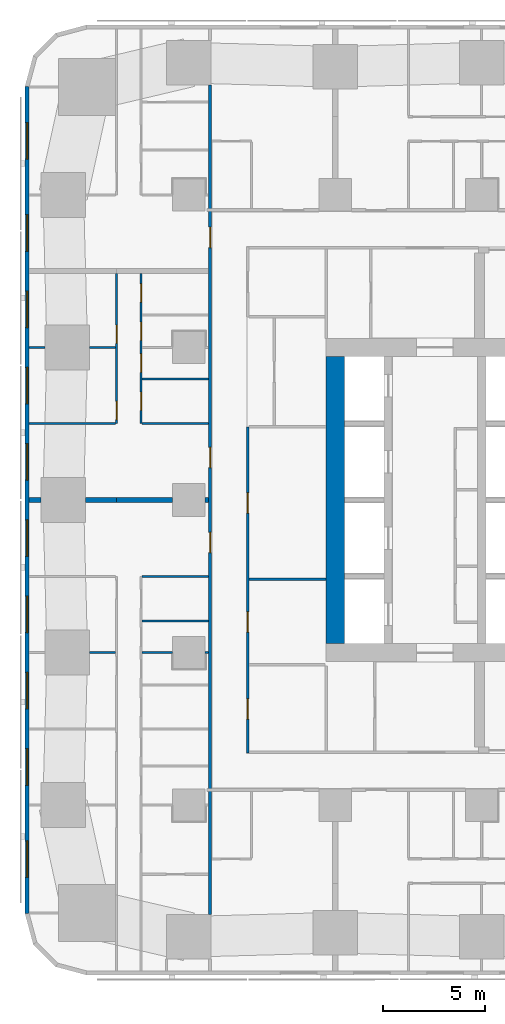
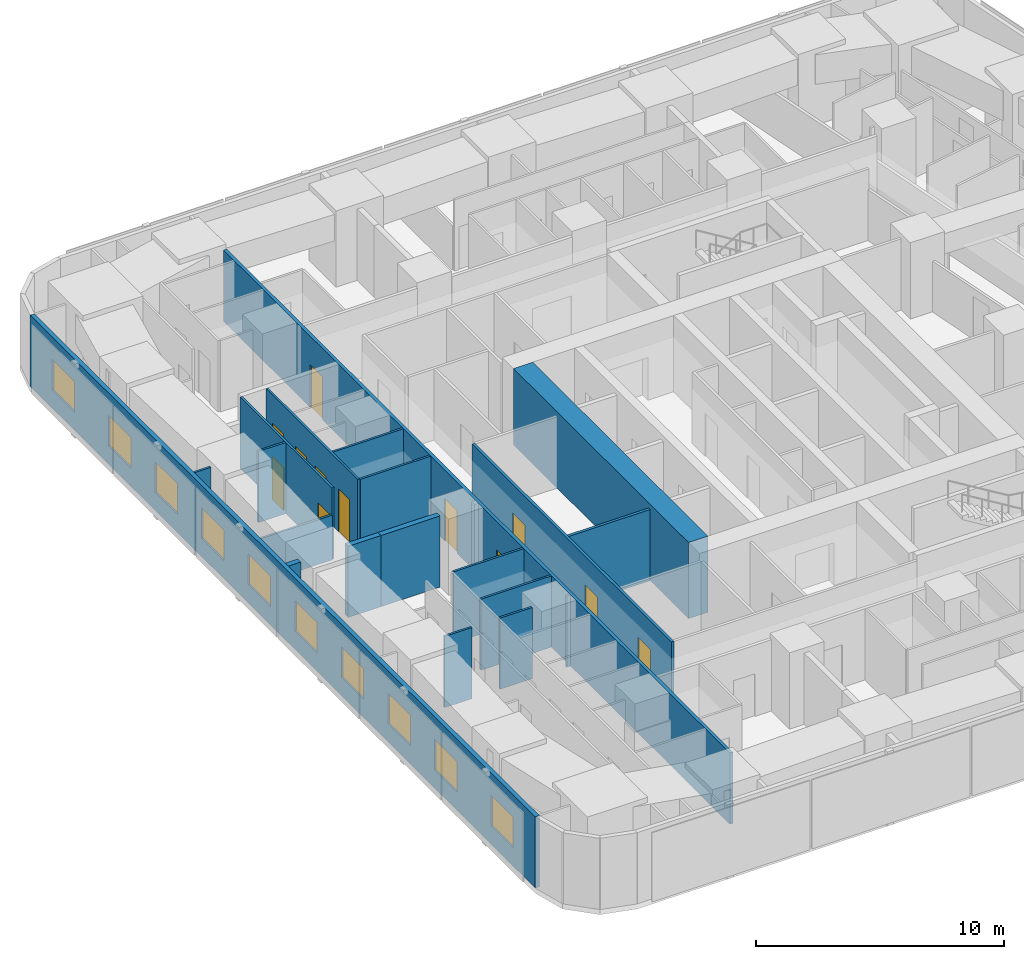
# One storey, part 4 of 15: 21 walls, 12 doors, 10 windows, 22 openings.
"""IFC4 building model written with IfcOpenShell, lengths in metres."""

import ifcopenshell
import ifcopenshell.guid

model = None  # the IFC model being written
_history = None  # IfcOwnerHistory: only IFC2X3 demands one
_inside = {}  # id of a spatial element -> (the spatial element, [elements in it])
_under = {}  # id of a project, library or spatial element -> (it, [spatial elements below it])
_declared = {}  # id of a project -> (the project, [libraries it declares])
_typed = {}  # id of a type object -> (the type object, [elements of that type])
_made_of = {}  # id of a material, layer set ... -> (it, [elements and type objects made of it])


def new_model(schema):
    """Start an empty IFC model of exactly this schema.

    Asked for "IFC4X3", IfcOpenShell would pick the latest addendum, in which some entities
    have other attributes; the version numbers below select the first issue.
    IFC2X3 requires an IfcOwnerHistory on every rooted entity: one is made here for all.
    """
    global model, _history
    if schema == "IFC4X3":
        model = ifcopenshell.file(schema_version=(4, 3, 0, 0))
    else:
        model = ifcopenshell.file(schema=schema)
    _inside.clear()
    _under.clear()
    _declared.clear()
    _typed.clear()
    _made_of.clear()
    _history = None
    if model.schema == "IFC2X3":
        org = make("IfcOrganization", Name="unknown")
        user = make(
            "IfcPersonAndOrganization",
            ThePerson=make("IfcPerson", FamilyName="unknown"),
            TheOrganization=org,
        )
        app = make(
            "IfcApplication",
            ApplicationDeveloper=org,
            Version="unknown",
            ApplicationFullName="unknown",
            ApplicationIdentifier="unknown",
        )
        _history = make(
            "IfcOwnerHistory",
            OwningUser=user,
            OwningApplication=app,
            ChangeAction="ADDED",
            CreationDate=0,
        )
    return model


def make(cls, **values):
    """One entity of the class cls with the attributes given. An attribute that is None is left unset."""
    return model.create_entity(
        cls, **{name: value for name, value in values.items() if value is not None}
    )


def rooted(cls, **values):
    """An entity with a GlobalId (a new one), such as an element, a storey or a relation."""
    return make(cls, GlobalId=ifcopenshell.guid.new(), OwnerHistory=_history, **values)


def si_unit(unit_type, name, prefix=None):
    """IfcSIUnit, for example si_unit("LENGTHUNIT", "METRE", prefix="MILLI")."""
    return make("IfcSIUnit", UnitType=unit_type, Prefix=prefix, Name=name)


def assignment(units):
    """IfcUnitAssignment: the units of a project."""
    return None if units is None else make("IfcUnitAssignment", Units=units)


def point(xyz):
    """IfcCartesianPoint."""
    return None if xyz is None else make("IfcCartesianPoint", Coordinates=xyz)


def direction(xyz):
    """IfcDirection."""
    return None if xyz is None else make("IfcDirection", DirectionRatios=xyz)


def frame(location, z_axis=None, x_axis=None):
    """IfcAxis2Placement3D, a coordinate frame: its origin and axes. An axis left out is left unset."""
    return make(
        "IfcAxis2Placement3D",
        Location=point(location),
        Axis=direction(z_axis),
        RefDirection=direction(x_axis),
    )


def frame_2d(location, x_axis=None):
    """IfcAxis2Placement2D, a coordinate frame in the plane: its origin and x axis."""
    return make(
        "IfcAxis2Placement2D", Location=point(location), RefDirection=direction(x_axis)
    )


def origin():
    """The frame at (0, 0, 0) with its axes left unset."""
    return frame((0.0, 0.0, 0.0))


def place(relative_to, where):
    """IfcLocalPlacement: puts the frame where relative to a parent placement (None: the world)."""
    return make(
        "IfcLocalPlacement", PlacementRelTo=relative_to, RelativePlacement=where
    )


def context(
    kind, dimensions, precision=None, world=None, true_north=None, identifier=None
):
    """IfcGeometricRepresentationContext, for example the 3D "Model" context."""
    return make(
        "IfcGeometricRepresentationContext",
        ContextIdentifier=identifier,
        ContextType=kind,
        CoordinateSpaceDimension=dimensions,
        Precision=precision,
        WorldCoordinateSystem=world,
        TrueNorth=true_north,
    )


def subcontext(parent, identifier, kind, view, scale=None):
    """IfcGeometricRepresentationSubContext, for example "Body" below "Model"."""
    return make(
        "IfcGeometricRepresentationSubContext",
        ContextIdentifier=identifier,
        ContextType=kind,
        ParentContext=parent,
        TargetScale=scale,
        TargetView=view,
    )


def project(units=None, contexts=None):
    """IfcProject with its units and contexts."""
    return rooted(
        "IfcProject",
        Name="project",
        RepresentationContexts=contexts,
        UnitsInContext=assignment(units),
    )


def spatial(cls, under=None, at=None, **own):
    """A site, building, storey or space (cls), placed at a placement, below another one or the project."""
    s = rooted(cls, ObjectPlacement=at, **own)
    if under is not None:
        _under.setdefault(under.id(), (under, []))[1].append(s)
    return s


def profile(cls, at=None, kind="AREA", **sizes):
    """A parametric profile (cls). Its sizes go by their IFC names, for example OverallWidth=200.0."""
    return make(cls, ProfileType=kind, Position=at, **sizes)


def rectangle(**sizes):
    """IfcRectangleProfileDef."""
    return profile("IfcRectangleProfileDef", **sizes)


def extrude(swept, where, along, depth):
    """IfcExtrudedAreaSolid: the profile swept, set in the frame where, extruded along a direction by depth."""
    return make(
        "IfcExtrudedAreaSolid",
        SweptArea=swept,
        Position=where,
        ExtrudedDirection=direction(along),
        Depth=depth,
    )


def shape(context_of_items, identifier, shape_type, items):
    """IfcShapeRepresentation: the items that make up one representation, for example the "Body"."""
    return make(
        "IfcShapeRepresentation",
        ContextOfItems=context_of_items,
        RepresentationIdentifier=identifier,
        RepresentationType=shape_type,
        Items=items,
    )


def material(Name=None, Category=None):
    """IfcMaterial."""
    return make("IfcMaterial", Name=Name, Category=Category)


def layer(
    of_material, thickness, ventilated=None, Name=None, Category=None, Priority=None
):
    """IfcMaterialLayer: one layer of a wall or slab, of a material (None: an air gap)."""
    return make(
        "IfcMaterialLayer",
        Material=of_material,
        LayerThickness=thickness,
        IsVentilated=ventilated,
        Name=Name,
        Category=Category,
        Priority=Priority,
    )


def layer_set(layers, Name=None):
    """IfcMaterialLayerSet."""
    return make("IfcMaterialLayerSet", MaterialLayers=layers, LayerSetName=Name)


def made_of(thing, what):
    """Note that an element or type object is made of a material, layer set ...; save() writes the relation."""
    if what is not None:
        _made_of.setdefault(what.id(), (what, []))[1].append(thing)
    return thing


def type_object(cls, material=None, **own):
    """A type object (cls), such as IfcWallType, which elements share."""
    return made_of(rooted(cls, **own), material)


def element(
    cls,
    number,
    at=None,
    inside=None,
    cuts=None,
    type_object=None,
    material=None,
    context=None,
    identifier="Body",
    shape_type=None,
    held_by="IfcProductDefinitionShape",
    body=None,
    shapes=None,
    **own,
):
    """One element of the class cls, such as IfcWall. Its Tag is "e" and its number.

    at: its placement. inside: the storey or other place that contains it. cuts: it is an
    opening in that element (IfcRelVoidsElement). A single representation is given by context,
    identifier, shape_type and body (its items); several are given by shapes. held_by: the class
    of the entity that holds the representations. save() writes the other relations.
    """
    e = rooted(cls, Tag="e%d" % number, ObjectPlacement=at, **own)
    if body is not None:
        shapes = [shape(context, identifier, shape_type, body)]
    if shapes is not None:
        e.Representation = make(held_by, Representations=shapes)
    if inside is not None:
        _inside.setdefault(inside.id(), (inside, []))[1].append(e)
    if cuts is not None:
        rooted(
            "IfcRelVoidsElement", RelatingBuildingElement=cuts, RelatedOpeningElement=e
        )
    if type_object is not None:
        _typed.setdefault(type_object.id(), (type_object, []))[1].append(e)
    return made_of(e, material)


def fill(opening, filler):
    """IfcRelFillsElement: the door or window that sits in an opening."""
    return rooted(
        "IfcRelFillsElement",
        RelatingOpeningElement=opening,
        RelatedBuildingElement=filler,
    )


def aggregate(whole, parts):
    """IfcRelAggregates: a whole, such as a stair, and the parts it consists of."""
    return rooted("IfcRelAggregates", RelatingObject=whole, RelatedObjects=parts)


def save(model, path):
    """Write the relations noted so far, then the file.

    IfcRelAggregates (storeys below a building ...), IfcRelContainedInSpatialStructure (elements
    in a storey), IfcRelDefinesByType, IfcRelAssociatesMaterial and IfcRelDeclares: one each for
    every whole, place, type object, material and project.
    """
    for whole, parts in _under.values():
        aggregate(whole, parts)
    for where, things in _inside.values():
        rooted(
            "IfcRelContainedInSpatialStructure",
            RelatedElements=things,
            RelatingStructure=where,
        )
    for kind, things in _typed.values():
        rooted("IfcRelDefinesByType", RelatedObjects=things, RelatingType=kind)
    for what, things in _made_of.values():
        rooted("IfcRelAssociatesMaterial", RelatedObjects=things, RelatingMaterial=what)
    for by, libraries in _declared.values():
        rooted("IfcRelDeclares", RelatingContext=by, RelatedDefinitions=libraries)
    model.write(path)


model = new_model("IFC4")

# Units and contexts
model_context = context("Model", 3, precision=1e-05, world=origin(), true_north=direction((0.0, 1.0)))
body_context = subcontext(model_context, "Body", "Model", "MODEL_VIEW")
ifc_project = project(units=[si_unit("LENGTHUNIT", "METRE"), si_unit("AREAUNIT", "SQUARE_METRE"), si_unit("VOLUMEUNIT", "CUBIC_METRE"), si_unit("PLANEANGLEUNIT", "RADIAN"), si_unit("MASSUNIT", "GRAM", prefix="KILO")], contexts=[model_context])

# Site, building, storey
site_placement = place(None, origin())
site = spatial("IfcSite", under=ifc_project, at=site_placement, CompositionType="ELEMENT")
building_placement = place(site_placement, origin())
building = spatial("IfcBuilding", under=site, at=building_placement, Name="Sheger Commons Tower", CompositionType="ELEMENT")
storey_placement = place(building_placement, frame((0.0, 0.0, 81.64990234375)))
storey = spatial("IfcBuildingStorey", under=building, at=storey_placement, Name="L20", CompositionType="ELEMENT", Elevation=81.64990234375)

# Wall
ifc_material_1 = material(Name="Concrete C50/60", Category="concrete")
ifc_layer_1 = layer(ifc_material_1, 0.89990234375)
ifc_layer_set_1 = layer_set([ifc_layer_1], Name="CORE WALL 900")
wall_type_1 = type_object("IfcWallType", Name="CORE WALL 900", PredefinedType="SHEAR", material=ifc_layer_set_1)
wall_1_placement = place(storey_placement, frame((14.39990234375, 15.449951171875, 0.0), z_axis=(0.0, 0.0, 1.0), x_axis=(0.0, 1.0, 0.0)))
element("IfcWall", 1, at=wall_1_placement, inside=storey, type_object=wall_type_1, Name="Core wall west L20", PredefinedType="SHEAR", context=body_context, shape_type="SweptSolid", body=[
    extrude(rectangle(XDim=14.10009765625, YDim=0.89990234375, at=frame_2d((7.050048828125, 0.0))), origin(), (0.0, 0.0, 1.0), 3.75),
])

# Wall, openings, doors
ifc_material_2 = material(Name="Hollow concrete block masonry, skimmed both sides", Category="masonry")
ifc_layer_2 = layer(ifc_material_2, 0.14990234375)
ifc_layer_set_2 = layer_set([ifc_layer_2], Name="CORRIDOR WALL 150")
wall_type_2 = type_object("IfcWallType", Name="CORRIDOR WALL 150", PredefinedType="SOLIDWALL", material=ifc_layer_set_2)
wall_2_placement = place(storey_placement, frame((8.25, 2.1259765625, 0.0), z_axis=(0.0, 0.0, 1.0), x_axis=(0.0, 1.0, 0.0)))
wall_2 = element("IfcWall", 2, at=wall_2_placement, inside=storey, type_object=wall_type_2, Name="Corridor wall L20", PredefinedType="SOLIDWALL", context=body_context, shape_type="SweptSolid", body=[
    extrude(rectangle(XDim=40.77294921875, YDim=0.14990234375, at=frame_2d((20.386474609375, 0.0))), origin(), (0.0, 0.0, 1.0), 3.5),
])
opening_1_placement = place(wall_2_placement, frame((17.787109375, 0.0, 0.0)))
opening_1 = element("IfcOpeningElement", 3, at=opening_1_placement, cuts=wall_2, Name="Opening D1", PredefinedType="OPENING", context=body_context, shape_type="SweptSolid", body=[
    extrude(rectangle(XDim=1.0, YDim=2.10009765625, at=frame_2d((0.5, 1.050048828125))), frame((0.0, 0.0849609375, 0.0), z_axis=(0.0, -1.0, 0.0), x_axis=(1.0, 0.0, 0.0)), (0.0, 0.0, 1.0), 0.169921875),
])
opening_2_placement = place(wall_2_placement, frame((21.9619140625, 0.0, 0.0)))
opening_2 = element("IfcOpeningElement", 4, at=opening_2_placement, cuts=wall_2, Name="Opening D1", PredefinedType="OPENING", context=body_context, shape_type="SweptSolid", body=[
    extrude(rectangle(XDim=1.0, YDim=2.10009765625, at=frame_2d((0.5, 1.050048828125))), frame((0.0, 0.0849609375, 0.0), z_axis=(0.0, -1.0, 0.0), x_axis=(1.0, 0.0, 0.0)), (0.0, 0.0, 1.0), 0.169921875),
])
opening_3_placement = place(wall_2_placement, frame((32.787109375, 0.0, 0.0)))
opening_3 = element("IfcOpeningElement", 5, at=opening_3_placement, cuts=wall_2, Name="Opening D1", PredefinedType="OPENING", context=body_context, shape_type="SweptSolid", body=[
    extrude(rectangle(XDim=1.0, YDim=2.10009765625, at=frame_2d((0.5, 1.050048828125))), frame((0.0, 0.0849609375, 0.0), z_axis=(0.0, -1.0, 0.0), x_axis=(1.0, 0.0, 0.0)), (0.0, 0.0, 1.0), 0.169921875),
])
ifc_material_3 = material(Name="Steel door set, fire rated", Category="steel")
door_type_1 = type_object("IfcDoorType", Name="FLAT ENTRANCE DOOR 1000x2100", OperationType="NOTDEFINED", PredefinedType="DOOR", material=ifc_material_3)
door_1_placement = place(opening_1_placement, origin())
door_1 = element("IfcDoor", 6, at=door_1_placement, inside=storey, type_object=door_type_1, Name="Flat entrance door", OperationType="SINGLE_SWING_LEFT", OverallHeight=2.10009765625, OverallWidth=1.0, PredefinedType="DOOR", context=body_context, shape_type="SweptSolid", body=[
    extrude(rectangle(XDim=1.0, YDim=2.10009765625, at=frame_2d((0.5, 1.050048828125))), frame((0.0, 0.02490234375, 0.0), z_axis=(0.0, -1.0, 0.0), x_axis=(1.0, 0.0, 0.0)), (0.0, 0.0, 1.0), 0.050048828125),
])
fill(opening_1, door_1)
door_2_placement = place(opening_2_placement, origin())
door_2 = element("IfcDoor", 7, at=door_2_placement, inside=storey, type_object=door_type_1, Name="Flat entrance door", OperationType="SINGLE_SWING_RIGHT", OverallHeight=2.10009765625, OverallWidth=1.0, PredefinedType="DOOR", context=body_context, shape_type="SweptSolid", body=[
    extrude(rectangle(XDim=1.0, YDim=2.10009765625, at=frame_2d((0.5, 1.050048828125))), frame((0.0, 0.02490234375, 0.0), z_axis=(0.0, -1.0, 0.0), x_axis=(1.0, 0.0, 0.0)), (0.0, 0.0, 1.0), 0.050048828125),
])
fill(opening_2, door_2)
door_3_placement = place(opening_3_placement, origin())
door_3 = element("IfcDoor", 8, at=door_3_placement, inside=storey, type_object=door_type_1, Name="Flat entrance door", OperationType="SINGLE_SWING_LEFT", OverallHeight=2.10009765625, OverallWidth=1.0, PredefinedType="DOOR", context=body_context, shape_type="SweptSolid", body=[
    extrude(rectangle(XDim=1.0, YDim=2.10009765625, at=frame_2d((0.5, 1.050048828125))), frame((0.0, 0.02490234375, 0.0), z_axis=(0.0, -1.0, 0.0), x_axis=(1.0, 0.0, 0.0)), (0.0, 0.0, 1.0), 0.050048828125),
])
fill(opening_3, door_3)

# Walls
ifc_material_4 = material(Name="Dense concrete block masonry, plastered both sides (separating wall between flats)", Category="masonry")
ifc_layer_3 = layer(ifc_material_4, 0.25)
ifc_layer_set_3 = layer_set([ifc_layer_3], Name="DEMISING WALL 250")
wall_type_3 = type_object("IfcWallType", Name="DEMISING WALL 250", PredefinedType="SOLIDWALL", material=ifc_layer_set_3)
wall_3_placement = place(storey_placement, frame((-0.64990234375, 22.5, 0.0), z_axis=(0.0, 0.0, 1.0), x_axis=(1.0, 0.0, 0.0)))
element("IfcWall", 9, at=wall_3_placement, inside=storey, type_object=wall_type_3, Name="Demising wall L20", PredefinedType="SOLIDWALL", context=body_context, shape_type="SweptSolid", body=[
    extrude(rectangle(XDim=0.573974609375, YDim=0.25, at=frame_2d((0.287109375, 0.0))), origin(), (0.0, 0.0, 1.0), 3.5),
])
wall_4_placement = place(storey_placement, frame((2.1259765625, 22.5, 0.0), z_axis=(0.0, 0.0, 1.0), x_axis=(1.0, 0.0, 0.0)))
element("IfcWall", 10, at=wall_4_placement, inside=storey, type_object=wall_type_3, Name="Demising wall L20", PredefinedType="SOLIDWALL", context=body_context, shape_type="SweptSolid", body=[
    extrude(rectangle(XDim=1.52392578125, YDim=0.25, at=frame_2d((0.761962890625, 0.0))), origin(), (0.0, 0.0, 1.0), 3.5),
])
wall_5_placement = place(storey_placement, frame((3.64990234375, 22.5, 0.0), z_axis=(0.0, 0.0, 1.0), x_axis=(1.0, 0.0, 0.0)))
element("IfcWall", 11, at=wall_5_placement, inside=storey, type_object=wall_type_3, Name="Demising wall L20", PredefinedType="SOLIDWALL", context=body_context, shape_type="SweptSolid", body=[
    extrude(rectangle(XDim=2.7490234375, YDim=0.25, at=frame_2d((1.37451171875, 0.0))), origin(), (0.0, 0.0, 1.0), 3.5),
])
wall_6_placement = place(storey_placement, frame((8.0009765625, 22.5, 0.0), z_axis=(0.0, 0.0, 1.0), x_axis=(1.0, 0.0, 0.0)))
element("IfcWall", 12, at=wall_6_placement, inside=storey, type_object=wall_type_3, Name="Demising wall L20", PredefinedType="SOLIDWALL", context=body_context, shape_type="SweptSolid", body=[
    extrude(rectangle(XDim=0.174072265625, YDim=0.25, at=frame_2d((0.0869140625, 0.0))), origin(), (0.0, 0.0, 1.0), 3.5),
])

# Wall, openings, windows
ifc_material_5 = material(Name="Rendered concrete block masonry, dark grey", Category="masonry")
ifc_layer_4 = layer(ifc_material_5, 0.199951171875)
ifc_layer_set_4 = layer_set([ifc_layer_4], Name="FACADE WALL 200")
wall_type_4 = type_object("IfcWallType", Name="FACADE WALL 200", PredefinedType="SOLIDWALL", material=ifc_layer_set_4)
wall_7_placement = place(storey_placement, frame((-0.75, 42.8369140625, 0.0), z_axis=(0.0, 0.0, 1.0), x_axis=(0.0, -1.0, 0.0)))
wall_7 = element("IfcWall", 13, at=wall_7_placement, inside=storey, type_object=wall_type_4, Name="Facade wall L20", PredefinedType="SOLIDWALL", context=body_context, shape_type="SweptSolid", body=[
    extrude(rectangle(XDim=40.673828125, YDim=0.199951171875, at=frame_2d((20.3369140625, 0.0))), origin(), (0.0, 0.0, 1.0), 3.5),
])
opening_4_placement = place(wall_7_placement, frame((1.780029296875, 0.0, 0.89990234375)))
opening_4 = element("IfcOpeningElement", 14, at=opening_4_placement, cuts=wall_7, Name="Opening W2", PredefinedType="OPENING", context=body_context, shape_type="SweptSolid", body=[
    extrude(rectangle(XDim=1.800048828125, YDim=1.5, at=frame_2d((0.89990234375, 0.75))), frame((0.0, 0.10986328125, 0.0), z_axis=(0.0, -1.0, 0.0), x_axis=(1.0, 0.0, 0.0)), (0.0, 0.0, 1.0), 0.219970703125),
])
opening_5_placement = place(wall_7_placement, frame((6.31201171875, 0.0, 0.89990234375)))
opening_5 = element("IfcOpeningElement", 15, at=opening_5_placement, cuts=wall_7, Name="Opening W2", PredefinedType="OPENING", context=body_context, shape_type="SweptSolid", body=[
    extrude(rectangle(XDim=1.800048828125, YDim=1.5, at=frame_2d((0.89990234375, 0.75))), frame((0.0, 0.10986328125, 0.0), z_axis=(0.0, -1.0, 0.0), x_axis=(1.0, 0.0, 0.0)), (0.0, 0.0, 1.0), 0.219970703125),
])
opening_6_placement = place(wall_7_placement, frame((10.06201171875, 0.0, 0.89990234375)))
opening_6 = element("IfcOpeningElement", 16, at=opening_6_placement, cuts=wall_7, Name="Opening W2", PredefinedType="OPENING", context=body_context, shape_type="SweptSolid", body=[
    extrude(rectangle(XDim=1.800048828125, YDim=1.5, at=frame_2d((0.89990234375, 0.75))), frame((0.0, 0.10986328125, 0.0), z_axis=(0.0, -1.0, 0.0), x_axis=(1.0, 0.0, 0.0)), (0.0, 0.0, 1.0), 0.219970703125),
])
opening_7_placement = place(wall_7_placement, frame((13.81201171875, 0.0, 0.89990234375)))
opening_7 = element("IfcOpeningElement", 17, at=opening_7_placement, cuts=wall_7, Name="Opening W2", PredefinedType="OPENING", context=body_context, shape_type="SweptSolid", body=[
    extrude(rectangle(XDim=1.800048828125, YDim=1.5, at=frame_2d((0.89990234375, 0.75))), frame((0.0, 0.10986328125, 0.0), z_axis=(0.0, -1.0, 0.0), x_axis=(1.0, 0.0, 0.0)), (0.0, 0.0, 1.0), 0.219970703125),
])
opening_8_placement = place(wall_7_placement, frame((17.56201171875, 0.0, 0.89990234375)))
opening_8 = element("IfcOpeningElement", 18, at=opening_8_placement, cuts=wall_7, Name="Opening W2", PredefinedType="OPENING", context=body_context, shape_type="SweptSolid", body=[
    extrude(rectangle(XDim=1.800048828125, YDim=1.5, at=frame_2d((0.89990234375, 0.75))), frame((0.0, 0.10986328125, 0.0), z_axis=(0.0, -1.0, 0.0), x_axis=(1.0, 0.0, 0.0)), (0.0, 0.0, 1.0), 0.219970703125),
])
opening_9_placement = place(wall_7_placement, frame((21.31201171875, 0.0, 0.89990234375)))
opening_9 = element("IfcOpeningElement", 19, at=opening_9_placement, cuts=wall_7, Name="Opening W2", PredefinedType="OPENING", context=body_context, shape_type="SweptSolid", body=[
    extrude(rectangle(XDim=1.800048828125, YDim=1.5, at=frame_2d((0.89990234375, 0.75))), frame((0.0, 0.10986328125, 0.0), z_axis=(0.0, -1.0, 0.0), x_axis=(1.0, 0.0, 0.0)), (0.0, 0.0, 1.0), 0.219970703125),
])
opening_10_placement = place(wall_7_placement, frame((25.06201171875, 0.0, 0.89990234375)))
opening_10 = element("IfcOpeningElement", 20, at=opening_10_placement, cuts=wall_7, Name="Opening W2", PredefinedType="OPENING", context=body_context, shape_type="SweptSolid", body=[
    extrude(rectangle(XDim=1.800048828125, YDim=1.5, at=frame_2d((0.89990234375, 0.75))), frame((0.0, 0.10986328125, 0.0), z_axis=(0.0, -1.0, 0.0), x_axis=(1.0, 0.0, 0.0)), (0.0, 0.0, 1.0), 0.219970703125),
])
opening_11_placement = place(wall_7_placement, frame((28.81201171875, 0.0, 0.89990234375)))
opening_11 = element("IfcOpeningElement", 21, at=opening_11_placement, cuts=wall_7, Name="Opening W2", PredefinedType="OPENING", context=body_context, shape_type="SweptSolid", body=[
    extrude(rectangle(XDim=1.800048828125, YDim=1.5, at=frame_2d((0.89990234375, 0.75))), frame((0.0, 0.10986328125, 0.0), z_axis=(0.0, -1.0, 0.0), x_axis=(1.0, 0.0, 0.0)), (0.0, 0.0, 1.0), 0.219970703125),
])
opening_12_placement = place(wall_7_placement, frame((32.56201171875, 0.0, 0.89990234375)))
opening_12 = element("IfcOpeningElement", 22, at=opening_12_placement, cuts=wall_7, Name="Opening W2", PredefinedType="OPENING", context=body_context, shape_type="SweptSolid", body=[
    extrude(rectangle(XDim=1.800048828125, YDim=1.5, at=frame_2d((0.89990234375, 0.75))), frame((0.0, 0.10986328125, 0.0), z_axis=(0.0, -1.0, 0.0), x_axis=(1.0, 0.0, 0.0)), (0.0, 0.0, 1.0), 0.219970703125),
])
opening_13_placement = place(wall_7_placement, frame((37.093994140625, 0.0, 0.89990234375)))
opening_13 = element("IfcOpeningElement", 23, at=opening_13_placement, cuts=wall_7, Name="Opening W2", PredefinedType="OPENING", context=body_context, shape_type="SweptSolid", body=[
    extrude(rectangle(XDim=1.800048828125, YDim=1.5, at=frame_2d((0.89990234375, 0.75))), frame((0.0, 0.10986328125, 0.0), z_axis=(0.0, -1.0, 0.0), x_axis=(1.0, 0.0, 0.0)), (0.0, 0.0, 1.0), 0.219970703125),
])
ifc_material_6 = material(Name="Black aluminium frame, dark tinted double glazing", Category="aluminium")
window_type = type_object("IfcWindowType", Name="WINDOW W2 1800x1500", PartitioningType="SINGLE_PANEL", PredefinedType="WINDOW", material=ifc_material_6)
window_1_placement = place(opening_4_placement, origin())
window_1 = element("IfcWindow", 24, at=window_1_placement, inside=storey, type_object=window_type, Name="Window W2 1800X1500", OverallHeight=1.5, OverallWidth=1.800048828125, PartitioningType="SINGLE_PANEL", PredefinedType="WINDOW", context=body_context, shape_type="SweptSolid", body=[
    extrude(rectangle(XDim=1.800048828125, YDim=1.5, at=frame_2d((0.89990234375, 0.75))), frame((0.0, 0.030029296875, 0.0), z_axis=(0.0, -1.0, 0.0), x_axis=(1.0, 0.0, 0.0)), (0.0, 0.0, 1.0), 0.06005859375),
])
fill(opening_4, window_1)
window_2_placement = place(opening_5_placement, origin())
window_2 = element("IfcWindow", 25, at=window_2_placement, inside=storey, type_object=window_type, Name="Window W2 1800X1500", OverallHeight=1.5, OverallWidth=1.800048828125, PartitioningType="SINGLE_PANEL", PredefinedType="WINDOW", context=body_context, shape_type="SweptSolid", body=[
    extrude(rectangle(XDim=1.800048828125, YDim=1.5, at=frame_2d((0.89990234375, 0.75))), frame((0.0, 0.030029296875, 0.0), z_axis=(0.0, -1.0, 0.0), x_axis=(1.0, 0.0, 0.0)), (0.0, 0.0, 1.0), 0.06005859375),
])
fill(opening_5, window_2)
window_3_placement = place(opening_6_placement, origin())
window_3 = element("IfcWindow", 26, at=window_3_placement, inside=storey, type_object=window_type, Name="Window W2 1800X1500", OverallHeight=1.5, OverallWidth=1.800048828125, PartitioningType="SINGLE_PANEL", PredefinedType="WINDOW", context=body_context, shape_type="SweptSolid", body=[
    extrude(rectangle(XDim=1.800048828125, YDim=1.5, at=frame_2d((0.89990234375, 0.75))), frame((0.0, 0.030029296875, 0.0), z_axis=(0.0, -1.0, 0.0), x_axis=(1.0, 0.0, 0.0)), (0.0, 0.0, 1.0), 0.06005859375),
])
fill(opening_6, window_3)
window_4_placement = place(opening_7_placement, origin())
window_4 = element("IfcWindow", 27, at=window_4_placement, inside=storey, type_object=window_type, Name="Window W2 1800X1500", OverallHeight=1.5, OverallWidth=1.800048828125, PartitioningType="SINGLE_PANEL", PredefinedType="WINDOW", context=body_context, shape_type="SweptSolid", body=[
    extrude(rectangle(XDim=1.800048828125, YDim=1.5, at=frame_2d((0.89990234375, 0.75))), frame((0.0, 0.030029296875, 0.0), z_axis=(0.0, -1.0, 0.0), x_axis=(1.0, 0.0, 0.0)), (0.0, 0.0, 1.0), 0.06005859375),
])
fill(opening_7, window_4)
window_5_placement = place(opening_8_placement, origin())
window_5 = element("IfcWindow", 28, at=window_5_placement, inside=storey, type_object=window_type, Name="Window W2 1800X1500", OverallHeight=1.5, OverallWidth=1.800048828125, PartitioningType="SINGLE_PANEL", PredefinedType="WINDOW", context=body_context, shape_type="SweptSolid", body=[
    extrude(rectangle(XDim=1.800048828125, YDim=1.5, at=frame_2d((0.89990234375, 0.75))), frame((0.0, 0.030029296875, 0.0), z_axis=(0.0, -1.0, 0.0), x_axis=(1.0, 0.0, 0.0)), (0.0, 0.0, 1.0), 0.06005859375),
])
fill(opening_8, window_5)
window_6_placement = place(opening_9_placement, origin())
window_6 = element("IfcWindow", 29, at=window_6_placement, inside=storey, type_object=window_type, Name="Window W2 1800X1500", OverallHeight=1.5, OverallWidth=1.800048828125, PartitioningType="SINGLE_PANEL", PredefinedType="WINDOW", context=body_context, shape_type="SweptSolid", body=[
    extrude(rectangle(XDim=1.800048828125, YDim=1.5, at=frame_2d((0.89990234375, 0.75))), frame((0.0, 0.030029296875, 0.0), z_axis=(0.0, -1.0, 0.0), x_axis=(1.0, 0.0, 0.0)), (0.0, 0.0, 1.0), 0.06005859375),
])
fill(opening_9, window_6)
window_7_placement = place(opening_10_placement, origin())
window_7 = element("IfcWindow", 30, at=window_7_placement, inside=storey, type_object=window_type, Name="Window W2 1800X1500", OverallHeight=1.5, OverallWidth=1.800048828125, PartitioningType="SINGLE_PANEL", PredefinedType="WINDOW", context=body_context, shape_type="SweptSolid", body=[
    extrude(rectangle(XDim=1.800048828125, YDim=1.5, at=frame_2d((0.89990234375, 0.75))), frame((0.0, 0.030029296875, 0.0), z_axis=(0.0, -1.0, 0.0), x_axis=(1.0, 0.0, 0.0)), (0.0, 0.0, 1.0), 0.06005859375),
])
fill(opening_10, window_7)
window_8_placement = place(opening_11_placement, origin())
window_8 = element("IfcWindow", 31, at=window_8_placement, inside=storey, type_object=window_type, Name="Window W2 1800X1500", OverallHeight=1.5, OverallWidth=1.800048828125, PartitioningType="SINGLE_PANEL", PredefinedType="WINDOW", context=body_context, shape_type="SweptSolid", body=[
    extrude(rectangle(XDim=1.800048828125, YDim=1.5, at=frame_2d((0.89990234375, 0.75))), frame((0.0, 0.030029296875, 0.0), z_axis=(0.0, -1.0, 0.0), x_axis=(1.0, 0.0, 0.0)), (0.0, 0.0, 1.0), 0.06005859375),
])
fill(opening_11, window_8)
window_9_placement = place(opening_12_placement, origin())
window_9 = element("IfcWindow", 32, at=window_9_placement, inside=storey, type_object=window_type, Name="Window W2 1800X1500", OverallHeight=1.5, OverallWidth=1.800048828125, PartitioningType="SINGLE_PANEL", PredefinedType="WINDOW", context=body_context, shape_type="SweptSolid", body=[
    extrude(rectangle(XDim=1.800048828125, YDim=1.5, at=frame_2d((0.89990234375, 0.75))), frame((0.0, 0.030029296875, 0.0), z_axis=(0.0, -1.0, 0.0), x_axis=(1.0, 0.0, 0.0)), (0.0, 0.0, 1.0), 0.06005859375),
])
fill(opening_12, window_9)
window_10_placement = place(opening_13_placement, origin())
window_10 = element("IfcWindow", 33, at=window_10_placement, inside=storey, type_object=window_type, Name="Window W2 1800X1500", OverallHeight=1.5, OverallWidth=1.800048828125, PartitioningType="SINGLE_PANEL", PredefinedType="WINDOW", context=body_context, shape_type="SweptSolid", body=[
    extrude(rectangle(XDim=1.800048828125, YDim=1.5, at=frame_2d((0.89990234375, 0.75))), frame((0.0, 0.030029296875, 0.0), z_axis=(0.0, -1.0, 0.0), x_axis=(1.0, 0.0, 0.0)), (0.0, 0.0, 1.0), 0.06005859375),
])
fill(opening_13, window_10)

# Walls
ifc_material_7 = material(Name="Gypsum board on steel studs", Category="steel")
ifc_layer_5 = layer(ifc_material_7, 0.10009765625)
ifc_layer_set_5 = layer_set([ifc_layer_5], Name="PARTITION 100")
wall_type_5 = type_object("IfcWallType", Name="PARTITION 100", PredefinedType="PARTITIONING", material=ifc_layer_set_5)
wall_8_placement = place(storey_placement, frame((2.325927734375, 15.0, 0.0), z_axis=(0.0, 0.0, 1.0), x_axis=(1.0, 0.0, 0.0)))
element("IfcWall", 34, at=wall_8_placement, inside=storey, type_object=wall_type_5, Name="Partition L20", PredefinedType="PARTITIONING", context=body_context, shape_type="SweptSolid", body=[
    extrude(rectangle(XDim=1.274169921875, YDim=0.10009765625, at=frame_2d((0.63720703125, 0.0))), origin(), (0.0, 0.0, 1.0), 3.5),
])
wall_9_placement = place(storey_placement, frame((4.89990234375, 15.0, 0.0), z_axis=(0.0, 0.0, 1.0), x_axis=(1.0, 0.0, 0.0)))
element("IfcWall", 35, at=wall_9_placement, inside=storey, type_object=wall_type_5, Name="Partition L20", PredefinedType="PARTITIONING", context=body_context, shape_type="SweptSolid", body=[
    extrude(rectangle(XDim=1.4990234375, YDim=0.10009765625, at=frame_2d((0.74951171875, 0.0))), origin(), (0.0, 0.0, 1.0), 3.5),
])
wall_10_placement = place(storey_placement, frame((8.0009765625, 15.0, 0.0), z_axis=(0.0, 0.0, 1.0), x_axis=(1.0, 0.0, 0.0)))
element("IfcWall", 36, at=wall_10_placement, inside=storey, type_object=wall_type_5, Name="Partition L20", PredefinedType="PARTITIONING", context=body_context, shape_type="SweptSolid", body=[
    extrude(rectangle(XDim=0.174072265625, YDim=0.10009765625, at=frame_2d((0.0869140625, 0.0))), origin(), (0.0, 0.0, 1.0), 3.5),
])
for number, where, z_axis, x_axis, name in (
    (37, (4.89990234375, 18.75, 0.0), (0.0, 0.0, 1.0), (1.0, 0.0, 0.0), "Partition L20"),
    (38, (4.89990234375, 16.5400390625, 0.0), (0.0, 0.0, 1.0), (1.0, 0.0, 0.0), "Partition L20"),
):
    element("IfcWall", number, at=place(storey_placement, frame(where, z_axis=z_axis, x_axis=x_axis)), inside=storey, type_object=wall_type_5, Name=name, PredefinedType="PARTITIONING", context=body_context, shape_type="SweptSolid", body=[
        extrude(rectangle(XDim=3.275146484375, YDim=0.10009765625, at=frame_2d((1.6376953125, 0.0))), origin(), (0.0, 0.0, 1.0), 3.5),
    ])

# Wall, openings, doors
wall_11_placement = place(storey_placement, frame((3.64990234375, 26.25, 0.0), z_axis=(0.0, 0.0, 1.0), x_axis=(0.0, 1.0, 0.0)))
wall_11 = element("IfcWall", 39, at=wall_11_placement, inside=storey, type_object=wall_type_5, Name="Partition L20", PredefinedType="PARTITIONING", context=body_context, shape_type="SweptSolid", body=[
    extrude(rectangle(XDim=7.375, YDim=0.10009765625, at=frame_2d((3.6875, 0.0))), origin(), (0.0, 0.0, 1.0), 3.5),
])
opening_14_placement = place(wall_11_placement, frame((0.199951171875, 0.0, 0.0)))
opening_14 = element("IfcOpeningElement", 40, at=opening_14_placement, cuts=wall_11, Name="Opening D2", PredefinedType="OPENING", context=body_context, shape_type="SweptSolid", body=[
    extrude(rectangle(XDim=0.89990234375, YDim=2.10009765625, at=frame_2d((0.449951171875, 1.050048828125))), frame((0.0, 0.06005859375, 0.0), z_axis=(0.0, -1.0, 0.0), x_axis=(1.0, 0.0, 0.0)), (0.0, 0.0, 1.0), 0.1201171875),
])
opening_15_placement = place(wall_11_placement, frame((3.949951171875, 0.0, 0.0)))
opening_15 = element("IfcOpeningElement", 41, at=opening_15_placement, cuts=wall_11, Name="Opening D2", PredefinedType="OPENING", context=body_context, shape_type="SweptSolid", body=[
    extrude(rectangle(XDim=0.89990234375, YDim=2.10009765625, at=frame_2d((0.449951171875, 1.050048828125))), frame((0.0, 0.06005859375, 0.0), z_axis=(0.0, -1.0, 0.0), x_axis=(1.0, 0.0, 0.0)), (0.0, 0.0, 1.0), 0.1201171875),
])
ifc_material_8 = material(Name="Timber door set", Category="wood")
door_type_2 = type_object("IfcDoorType", Name="INTERNAL DOOR 900x2100", OperationType="NOTDEFINED", PredefinedType="DOOR", material=ifc_material_8)
door_4_placement = place(opening_14_placement, origin())
door_4 = element("IfcDoor", 42, at=door_4_placement, inside=storey, type_object=door_type_2, Name="Main bedroom door", OperationType="SINGLE_SWING_LEFT", OverallHeight=2.10009765625, OverallWidth=0.89990234375, PredefinedType="DOOR", context=body_context, shape_type="SweptSolid", body=[
    extrude(rectangle(XDim=0.89990234375, YDim=2.10009765625, at=frame_2d((0.449951171875, 1.050048828125))), frame((0.0, 0.02490234375, 0.0), z_axis=(0.0, -1.0, 0.0), x_axis=(1.0, 0.0, 0.0)), (0.0, 0.0, 1.0), 0.050048828125),
])
fill(opening_14, door_4)
door_5_placement = place(opening_15_placement, origin())
door_5 = element("IfcDoor", 43, at=door_5_placement, inside=storey, type_object=door_type_2, Name="Bedroom 2 door", OperationType="SINGLE_SWING_LEFT", OverallHeight=2.10009765625, OverallWidth=0.89990234375, PredefinedType="DOOR", context=body_context, shape_type="SweptSolid", body=[
    extrude(rectangle(XDim=0.89990234375, YDim=2.10009765625, at=frame_2d((0.449951171875, 1.050048828125))), frame((0.0, 0.02490234375, 0.0), z_axis=(0.0, -1.0, 0.0), x_axis=(1.0, 0.0, 0.0)), (0.0, 0.0, 1.0), 0.050048828125),
])
fill(opening_15, door_5)

wall_12_placement = place(storey_placement, frame((4.85009765625, 26.25, 0.0), z_axis=(0.0, 0.0, 1.0), x_axis=(0.0, 1.0, 0.0)))
wall_12 = element("IfcWall", 44, at=wall_12_placement, inside=storey, type_object=wall_type_5, Name="Partition L20", PredefinedType="PARTITIONING", context=body_context, shape_type="SweptSolid", body=[
    extrude(rectangle(XDim=7.375, YDim=0.10009765625, at=frame_2d((3.6875, 0.0))), origin(), (0.0, 0.0, 1.0), 3.5),
])
opening_16_placement = place(wall_12_placement, frame((0.655029296875, 0.0, 0.0)))
opening_16 = element("IfcOpeningElement", 45, at=opening_16_placement, cuts=wall_12, Name="Opening D2", PredefinedType="OPENING", context=body_context, shape_type="SweptSolid", body=[
    extrude(rectangle(XDim=0.89990234375, YDim=2.10009765625, at=frame_2d((0.449951171875, 1.050048828125))), frame((0.0, 0.06005859375, 0.0), z_axis=(0.0, -1.0, 0.0), x_axis=(1.0, 0.0, 0.0)), (0.0, 0.0, 1.0), 0.1201171875),
])
opening_17_placement = place(wall_12_placement, frame((4.10009765625, 0.0, 0.0)))
opening_17 = element("IfcOpeningElement", 46, at=opening_17_placement, cuts=wall_12, Name="Opening D2", PredefinedType="OPENING", context=body_context, shape_type="SweptSolid", body=[
    extrude(rectangle(XDim=0.89990234375, YDim=2.10009765625, at=frame_2d((0.449951171875, 1.050048828125))), frame((0.0, 0.06005859375, 0.0), z_axis=(0.0, -1.0, 0.0), x_axis=(1.0, 0.0, 0.0)), (0.0, 0.0, 1.0), 0.1201171875),
])
opening_18_placement = place(wall_12_placement, frame((2.530029296875, 0.0, 0.0)))
opening_18 = element("IfcOpeningElement", 47, at=opening_18_placement, cuts=wall_12, Name="Opening D2", PredefinedType="OPENING", context=body_context, shape_type="SweptSolid", body=[
    extrude(rectangle(XDim=0.89990234375, YDim=2.10009765625, at=frame_2d((0.449951171875, 1.050048828125))), frame((0.0, 0.06005859375, 0.0), z_axis=(0.0, -1.0, 0.0), x_axis=(1.0, 0.0, 0.0)), (0.0, 0.0, 1.0), 0.1201171875),
])
opening_19_placement = place(wall_12_placement, frame((5.97509765625, 0.0, 0.0)))
opening_19 = element("IfcOpeningElement", 48, at=opening_19_placement, cuts=wall_12, Name="Opening D2", PredefinedType="OPENING", context=body_context, shape_type="SweptSolid", body=[
    extrude(rectangle(XDim=0.89990234375, YDim=2.10009765625, at=frame_2d((0.449951171875, 1.050048828125))), frame((0.0, 0.06005859375, 0.0), z_axis=(0.0, -1.0, 0.0), x_axis=(1.0, 0.0, 0.0)), (0.0, 0.0, 1.0), 0.1201171875),
])
door_6_placement = place(opening_16_placement, origin())
door_6 = element("IfcDoor", 49, at=door_6_placement, inside=storey, type_object=door_type_2, Name="Bathroom door", OperationType="SINGLE_SWING_RIGHT", OverallHeight=2.10009765625, OverallWidth=0.89990234375, PredefinedType="DOOR", context=body_context, shape_type="SweptSolid", body=[
    extrude(rectangle(XDim=0.89990234375, YDim=2.10009765625, at=frame_2d((0.449951171875, 1.050048828125))), frame((0.0, 0.02490234375, 0.0), z_axis=(0.0, -1.0, 0.0), x_axis=(1.0, 0.0, 0.0)), (0.0, 0.0, 1.0), 0.050048828125),
])
fill(opening_16, door_6)
door_7_placement = place(opening_17_placement, origin())
door_7 = element("IfcDoor", 50, at=door_7_placement, inside=storey, type_object=door_type_2, Name="Shower room door", OperationType="SINGLE_SWING_RIGHT", OverallHeight=2.10009765625, OverallWidth=0.89990234375, PredefinedType="DOOR", context=body_context, shape_type="SweptSolid", body=[
    extrude(rectangle(XDim=0.89990234375, YDim=2.10009765625, at=frame_2d((0.449951171875, 1.050048828125))), frame((0.0, 0.02490234375, 0.0), z_axis=(0.0, -1.0, 0.0), x_axis=(1.0, 0.0, 0.0)), (0.0, 0.0, 1.0), 0.050048828125),
])
fill(opening_17, door_7)
door_8_placement = place(opening_18_placement, origin())
door_8 = element("IfcDoor", 51, at=door_8_placement, inside=storey, type_object=door_type_2, Name="Store door", OperationType="SINGLE_SWING_RIGHT", OverallHeight=2.10009765625, OverallWidth=0.89990234375, PredefinedType="DOOR", context=body_context, shape_type="SweptSolid", body=[
    extrude(rectangle(XDim=0.89990234375, YDim=2.10009765625, at=frame_2d((0.449951171875, 1.050048828125))), frame((0.0, 0.02490234375, 0.0), z_axis=(0.0, -1.0, 0.0), x_axis=(1.0, 0.0, 0.0)), (0.0, 0.0, 1.0), 0.050048828125),
])
fill(opening_18, door_8)
door_9_placement = place(opening_19_placement, origin())
door_9 = element("IfcDoor", 52, at=door_9_placement, inside=storey, type_object=door_type_2, Name="Store door", OperationType="SINGLE_SWING_LEFT", OverallHeight=2.10009765625, OverallWidth=0.89990234375, PredefinedType="DOOR", context=body_context, shape_type="SweptSolid", body=[
    extrude(rectangle(XDim=0.89990234375, YDim=2.10009765625, at=frame_2d((0.449951171875, 1.050048828125))), frame((0.0, 0.02490234375, 0.0), z_axis=(0.0, -1.0, 0.0), x_axis=(1.0, 0.0, 0.0)), (0.0, 0.0, 1.0), 0.050048828125),
])
fill(opening_19, door_9)

# Walls
wall_13_placement = place(storey_placement, frame((-0.64990234375, 26.25, 0.0), z_axis=(0.0, 0.0, 1.0), x_axis=(1.0, 0.0, 0.0)))
element("IfcWall", 53, at=wall_13_placement, inside=storey, type_object=wall_type_5, Name="Partition L20", PredefinedType="PARTITIONING", context=body_context, shape_type="SweptSolid", body=[
    extrude(rectangle(XDim=4.25, YDim=0.10009765625, at=frame_2d((2.125, 0.0))), origin(), (0.0, 0.0, 1.0), 2.2001953125),
])
wall_14_placement = place(storey_placement, frame((-0.64990234375, 30.0, 0.0), z_axis=(0.0, 0.0, 1.0), x_axis=(1.0, 0.0, 0.0)))
element("IfcWall", 54, at=wall_14_placement, inside=storey, type_object=wall_type_5, Name="Partition L20", PredefinedType="PARTITIONING", context=body_context, shape_type="SweptSolid", body=[
    extrude(rectangle(XDim=0.77392578125, YDim=0.10009765625, at=frame_2d((0.386962890625, 0.0))), origin(), (0.0, 0.0, 1.0), 3.5),
])
wall_15_placement = place(storey_placement, frame((2.325927734375, 30.0, 0.0), z_axis=(0.0, 0.0, 1.0), x_axis=(1.0, 0.0, 0.0)))
element("IfcWall", 55, at=wall_15_placement, inside=storey, type_object=wall_type_5, Name="Partition L20", PredefinedType="PARTITIONING", context=body_context, shape_type="SweptSolid", body=[
    extrude(rectangle(XDim=1.274169921875, YDim=0.10009765625, at=frame_2d((0.63720703125, 0.0))), origin(), (0.0, 0.0, 1.0), 3.5),
])
for number, where, z_axis, x_axis, name in (
    (56, (4.89990234375, 26.25, 0.0), (0.0, 0.0, 1.0), (1.0, 0.0, 0.0), "Partition L20"),
    (57, (4.89990234375, 28.4599609375, 0.0), (0.0, 0.0, 1.0), (1.0, 0.0, 0.0), "Partition L20"),
):
    element("IfcWall", number, at=place(storey_placement, frame(where, z_axis=z_axis, x_axis=x_axis)), inside=storey, type_object=wall_type_5, Name=name, PredefinedType="PARTITIONING", context=body_context, shape_type="SweptSolid", body=[
        extrude(rectangle(XDim=3.275146484375, YDim=0.10009765625, at=frame_2d((1.6376953125, 0.0))), origin(), (0.0, 0.0, 1.0), 3.5),
    ])

# Wall, openings, doors
ifc_material_9 = material(Name="Gypsum board on steel studs, two layers each side, fire rated", Category="steel")
ifc_layer_6 = layer(ifc_material_9, 0.125)
ifc_layer_set_6 = layer_set([ifc_layer_6], Name="SERVICE WALL 125")
wall_type_6 = type_object("IfcWallType", Name="SERVICE WALL 125", PredefinedType="PARTITIONING", material=ifc_layer_set_6)
wall_16_placement = place(storey_placement, frame((10.10009765625, 10.050048828125, 0.0), z_axis=(0.0, 0.0, 1.0), x_axis=(0.0, 1.0, 0.0)))
wall_16 = element("IfcWall", 58, at=wall_16_placement, inside=storey, type_object=wall_type_6, Name="Service room wall L20", PredefinedType="PARTITIONING", context=body_context, shape_type="SweptSolid", body=[
    extrude(rectangle(XDim=16.050048828125, YDim=0.125, at=frame_2d((8.02490234375, 0.0))), origin(), (0.0, 0.0, 1.0), 3.5),
])
opening_20_placement = place(wall_16_placement, frame((1.675048828125, 0.0, 0.0)))
opening_20 = element("IfcOpeningElement", 59, at=opening_20_placement, cuts=wall_16, Name="Opening D4", PredefinedType="OPENING", context=body_context, shape_type="SweptSolid", body=[
    extrude(rectangle(XDim=1.0, YDim=2.10009765625, at=frame_2d((0.5, 1.050048828125))), frame((0.0, 0.072509765625, 0.0), z_axis=(0.0, -1.0, 0.0), x_axis=(1.0, 0.0, 0.0)), (0.0, 0.0, 1.0), 0.14501953125),
])
opening_21_placement = place(wall_16_placement, frame((5.949951171875, 0.0, 0.0)))
opening_21 = element("IfcOpeningElement", 60, at=opening_21_placement, cuts=wall_16, Name="Opening D4", PredefinedType="OPENING", context=body_context, shape_type="SweptSolid", body=[
    extrude(rectangle(XDim=1.0, YDim=2.10009765625, at=frame_2d((0.5, 1.050048828125))), frame((0.0, 0.072509765625, 0.0), z_axis=(0.0, -1.0, 0.0), x_axis=(1.0, 0.0, 0.0)), (0.0, 0.0, 1.0), 0.14501953125),
])
opening_22_placement = place(wall_16_placement, frame((11.800048828125, 0.0, 0.0)))
opening_22 = element("IfcOpeningElement", 61, at=opening_22_placement, cuts=wall_16, Name="Opening D4", PredefinedType="OPENING", context=body_context, shape_type="SweptSolid", body=[
    extrude(rectangle(XDim=1.0, YDim=2.10009765625, at=frame_2d((0.5, 1.050048828125))), frame((0.0, 0.072509765625, 0.0), z_axis=(0.0, -1.0, 0.0), x_axis=(1.0, 0.0, 0.0)), (0.0, 0.0, 1.0), 0.14501953125),
])
ifc_material_10 = material(Name="Steel door set, fire rated", Category="steel")
door_type_3 = type_object("IfcDoorType", Name="SERVICE DOOR 1000x2100", OperationType="NOTDEFINED", PredefinedType="DOOR", material=ifc_material_10)
door_10_placement = place(opening_20_placement, origin())
door_10 = element("IfcDoor", 62, at=door_10_placement, inside=storey, type_object=door_type_3, Name="Refuse chute room door", OperationType="SINGLE_SWING_RIGHT", OverallHeight=2.10009765625, OverallWidth=1.0, PredefinedType="DOOR", context=body_context, shape_type="SweptSolid", body=[
    extrude(rectangle(XDim=1.0, YDim=2.10009765625, at=frame_2d((0.5, 1.050048828125))), frame((0.0, 0.02490234375, 0.0), z_axis=(0.0, -1.0, 0.0), x_axis=(1.0, 0.0, 0.0)), (0.0, 0.0, 1.0), 0.050048828125),
])
fill(opening_20, door_10)
door_11_placement = place(opening_21_placement, origin())
door_11 = element("IfcDoor", 63, at=door_11_placement, inside=storey, type_object=door_type_3, Name="Recycling room door", OperationType="SINGLE_SWING_RIGHT", OverallHeight=2.10009765625, OverallWidth=1.0, PredefinedType="DOOR", context=body_context, shape_type="SweptSolid", body=[
    extrude(rectangle(XDim=1.0, YDim=2.10009765625, at=frame_2d((0.5, 1.050048828125))), frame((0.0, 0.02490234375, 0.0), z_axis=(0.0, -1.0, 0.0), x_axis=(1.0, 0.0, 0.0)), (0.0, 0.0, 1.0), 0.050048828125),
])
fill(opening_21, door_11)
door_12_placement = place(opening_22_placement, origin())
door_12 = element("IfcDoor", 64, at=door_12_placement, inside=storey, type_object=door_type_3, Name="Bicycle and pram store door", OperationType="SINGLE_SWING_LEFT", OverallHeight=2.10009765625, OverallWidth=1.0, PredefinedType="DOOR", context=body_context, shape_type="SweptSolid", body=[
    extrude(rectangle(XDim=1.0, YDim=2.10009765625, at=frame_2d((0.5, 1.050048828125))), frame((0.0, 0.02490234375, 0.0), z_axis=(0.0, -1.0, 0.0), x_axis=(1.0, 0.0, 0.0)), (0.0, 0.0, 1.0), 0.050048828125),
])
fill(opening_22, door_12)

# Wall
wall_17_placement = place(storey_placement, frame((10.1630859375, 18.60009765625, 0.0), z_axis=(0.0, 0.0, 1.0), x_axis=(1.0, 0.0, 0.0)))
element("IfcWall", 65, at=wall_17_placement, inside=storey, type_object=wall_type_6, Name="Service room wall L20", PredefinedType="PARTITIONING", context=body_context, shape_type="SweptSolid", body=[
    extrude(rectangle(XDim=3.786865234375, YDim=0.125, at=frame_2d((1.8935546875, 0.0))), origin(), (0.0, 0.0, 1.0), 3.5),
])

save(model, "model.ifc")
